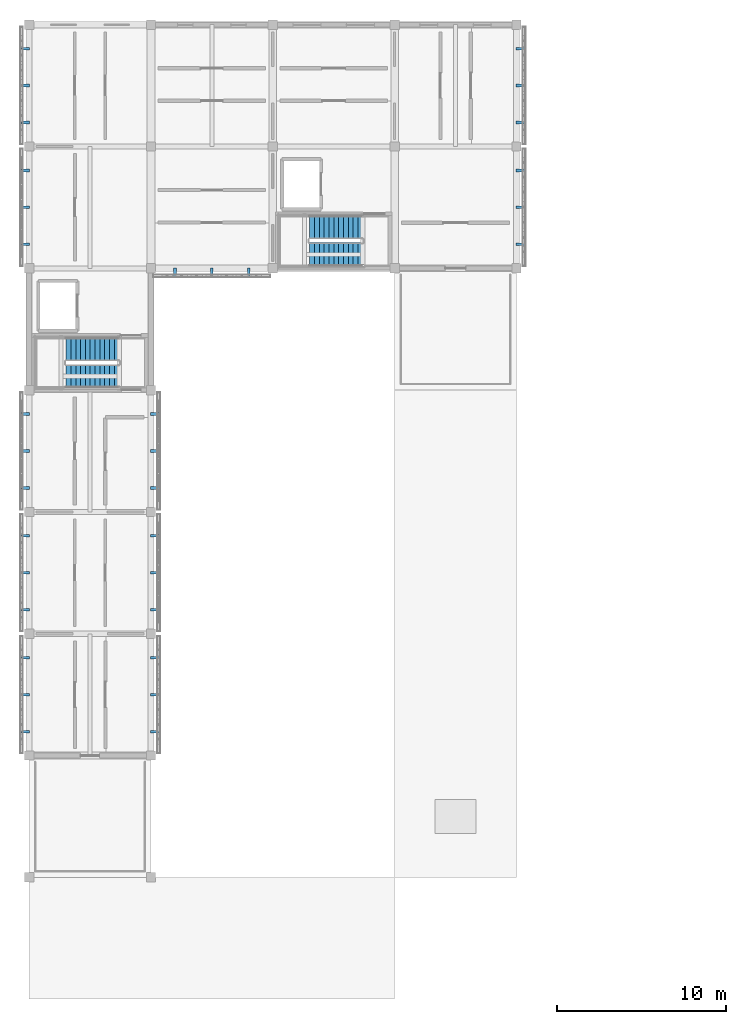
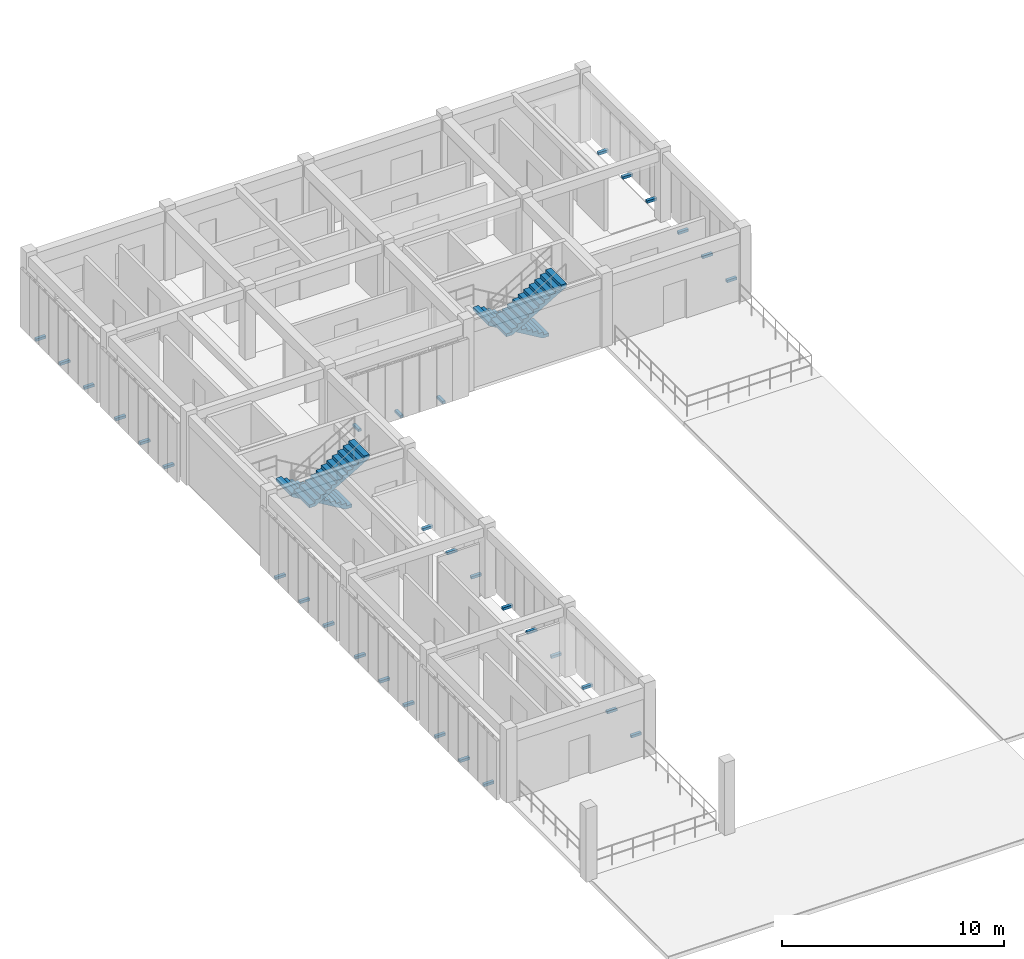
# One storey, part 29 of 33: 33 discrete accessories, 4 stair flights, 2 elements without a shape of their own.
"""IFC4 building model written with IfcOpenShell, lengths in metres."""

from ifc_helpers import new_model, si_unit, direction, frame, origin, origin_2d, place, context, subcontext, project, spatial, polyline, rectangle, outline, extrude, material, type_object, element, aggregate, save


model = new_model("IFC4")

# Units and contexts
model_context = context("Model", 3, precision=1e-05, world=origin(), true_north=direction((0.0, 1.0)))
body_context = subcontext(model_context, "Body", "Model", "MODEL_VIEW")
ifc_project = project(units=[si_unit("LENGTHUNIT", "METRE"), si_unit("AREAUNIT", "SQUARE_METRE"), si_unit("VOLUMEUNIT", "CUBIC_METRE"), si_unit("PLANEANGLEUNIT", "RADIAN"), si_unit("MASSUNIT", "GRAM", prefix="KILO")], contexts=[model_context])

# Site, building, storey
site_placement = place(None, origin())
site = spatial("IfcSite", under=ifc_project, at=site_placement, CompositionType="ELEMENT")
building_placement = place(site_placement, origin())
building = spatial("IfcBuilding", under=site, at=building_placement, Name="Aldebral Square Health Centre", CompositionType="ELEMENT")
storey_placement = place(building_placement, frame((0.0, 0.0, 17.550048828125)))
storey = spatial("IfcBuildingStorey", under=building, at=storey_placement, Name="L04", CompositionType="ELEMENT", Elevation=17.550048828125)

# Stair, stair flights
ifc_material_1 = material(Name="Concrete C35/45", Category="concrete")
stair_type = type_object("IfcStairType", Name="ST-DOG-140", PredefinedType="HALF_TURN_STAIR", material=ifc_material_1)
stair_1_placement = place(storey_placement, origin())
stair_1 = element("IfcStair", 1, at=stair_1_placement, inside=storey, type_object=stair_type, Name="L04 ST-01", PredefinedType="HALF_TURN_STAIR")
stair_flight_type = type_object("IfcStairFlightType", Name="STF-DOG-140", PredefinedType="STRAIGHT", material=ifc_material_1)
stair_flight_1_placement = place(storey_placement, frame((5.320068359375, 96.02001953125, 0.0), z_axis=(0.0, 0.0, 1.0), x_axis=(-1.0, 0.0, 0.0)))
stair_flight_1 = element("IfcStairFlight", 2, at=stair_flight_1_placement, type_object=stair_flight_type, Name="ST-01 flight 1", NumberOfRisers=12, NumberOfTreads=11, PredefinedType="STRAIGHT", RiserHeight=0.16875, TreadLength=0.285, context=body_context, shape_type="SweptSolid", body=[
    extrude(outline(polyline([(0.0, 0.0), (0.0, 0.168701171875), (0.284912109375, 0.168701171875), (0.284912109375, 0.33740234375), (0.570068359375, 0.33740234375), (0.570068359375, 0.50634765625), (0.85498046875, 0.50634765625), (0.85498046875, 0.675048828125), (1.139892578125, 0.675048828125), (1.139892578125, 0.84375), (1.425048828125, 0.84375), (1.425048828125, 1.012451171875), (1.7099609375, 1.012451171875), (1.7099609375, 1.18115234375), (1.9951171875, 1.18115234375), (1.9951171875, 1.35009765625), (2.280029296875, 1.35009765625), (2.280029296875, 1.518798828125), (2.56494140625, 1.518798828125), (2.56494140625, 1.6875), (2.85009765625, 1.6875), (2.85009765625, 1.856201171875), (3.135009765625, 1.856201171875), (3.135009765625, 2.02490234375), (3.135009765625, 1.67041015625), (0.31396484375, 0.0), (0.0, 0.0)])), frame((0.0, 0.699951171875, 0.0), z_axis=(0.0, -1.0, 0.0), x_axis=(1.0, 0.0, 0.0)), (0.0, 0.0, 1.0), 1.39990234375),
])
stair_flight_2_placement = place(storey_placement, frame((2.18505859375, 94.419921875, 2.02490234375), z_axis=(0.0, 0.0, 1.0), x_axis=(1.0, 0.0, 0.0)))
stair_flight_2 = element("IfcStairFlight", 3, at=stair_flight_2_placement, type_object=stair_flight_type, Name="ST-01 flight 2", NumberOfRisers=12, NumberOfTreads=11, PredefinedType="STRAIGHT", RiserHeight=0.16875, TreadLength=0.285, context=body_context, shape_type="SweptSolid", body=[
    extrude(outline(polyline([(0.0, 0.0), (0.0, 0.168701171875), (0.284912109375, 0.168701171875), (0.284912109375, 0.33740234375), (0.570068359375, 0.33740234375), (0.570068359375, 0.50634765625), (0.85498046875, 0.50634765625), (0.85498046875, 0.675048828125), (1.139892578125, 0.675048828125), (1.139892578125, 0.84375), (1.425048828125, 0.84375), (1.425048828125, 1.012451171875), (1.7099609375, 1.012451171875), (1.7099609375, 1.18115234375), (1.9951171875, 1.18115234375), (1.9951171875, 1.35009765625), (2.280029296875, 1.35009765625), (2.280029296875, 1.518798828125), (2.56494140625, 1.518798828125), (2.56494140625, 1.6875), (2.85009765625, 1.6875), (2.85009765625, 1.856201171875), (3.135009765625, 1.856201171875), (3.135009765625, 2.02490234375), (3.135009765625, 1.67041015625), (0.31396484375, 0.0), (0.0, 0.0)])), frame((0.0, 0.699951171875, 0.0), z_axis=(0.0, -1.0, 0.0), x_axis=(1.0, 0.0, 0.0)), (0.0, 0.0, 1.0), 1.39990234375),
])
aggregate(stair_1, [stair_flight_1, stair_flight_2])

stair_2_placement = place(storey_placement, origin())
stair_2 = element("IfcStair", 4, at=stair_2_placement, inside=storey, type_object=stair_type, Name="L04 ST-02", PredefinedType="HALF_TURN_STAIR")
stair_flight_3_placement = place(storey_placement, frame((19.719970703125, 103.219970703125, 0.0), z_axis=(0.0, 0.0, 1.0), x_axis=(-1.0, 0.0, 0.0)))
stair_flight_3 = element("IfcStairFlight", 5, at=stair_flight_3_placement, type_object=stair_flight_type, Name="ST-02 flight 1", NumberOfRisers=12, NumberOfTreads=11, PredefinedType="STRAIGHT", RiserHeight=0.16875, TreadLength=0.285, context=body_context, shape_type="SweptSolid", body=[
    extrude(outline(polyline([(0.0, 0.0), (0.0, 0.168701171875), (0.284912109375, 0.168701171875), (0.284912109375, 0.33740234375), (0.570068359375, 0.33740234375), (0.570068359375, 0.50634765625), (0.85498046875, 0.50634765625), (0.85498046875, 0.675048828125), (1.139892578125, 0.675048828125), (1.139892578125, 0.84375), (1.425048828125, 0.84375), (1.425048828125, 1.012451171875), (1.7099609375, 1.012451171875), (1.7099609375, 1.18115234375), (1.9951171875, 1.18115234375), (1.9951171875, 1.35009765625), (2.280029296875, 1.35009765625), (2.280029296875, 1.518798828125), (2.56494140625, 1.518798828125), (2.56494140625, 1.6875), (2.85009765625, 1.6875), (2.85009765625, 1.856201171875), (3.135009765625, 1.856201171875), (3.135009765625, 2.02490234375), (3.135009765625, 1.67041015625), (0.31396484375, 0.0), (0.0, 0.0)])), frame((0.0, 0.699951171875, 0.0), z_axis=(0.0, -1.0, 0.0), x_axis=(1.0, 0.0, 0.0)), (0.0, 0.0, 1.0), 1.39990234375),
])
stair_flight_4_placement = place(storey_placement, frame((16.5849609375, 101.6201171875, 2.02490234375), z_axis=(0.0, 0.0, 1.0), x_axis=(1.0, 0.0, 0.0)))
stair_flight_4 = element("IfcStairFlight", 6, at=stair_flight_4_placement, type_object=stair_flight_type, Name="ST-02 flight 2", NumberOfRisers=12, NumberOfTreads=11, PredefinedType="STRAIGHT", RiserHeight=0.16875, TreadLength=0.285, context=body_context, shape_type="SweptSolid", body=[
    extrude(outline(polyline([(0.0, 0.0), (0.0, 0.168701171875), (0.284912109375, 0.168701171875), (0.284912109375, 0.33740234375), (0.570068359375, 0.33740234375), (0.570068359375, 0.50634765625), (0.85498046875, 0.50634765625), (0.85498046875, 0.675048828125), (1.139892578125, 0.675048828125), (1.139892578125, 0.84375), (1.425048828125, 0.84375), (1.425048828125, 1.012451171875), (1.7099609375, 1.012451171875), (1.7099609375, 1.18115234375), (1.9951171875, 1.18115234375), (1.9951171875, 1.35009765625), (2.280029296875, 1.35009765625), (2.280029296875, 1.518798828125), (2.56494140625, 1.518798828125), (2.56494140625, 1.6875), (2.85009765625, 1.6875), (2.85009765625, 1.856201171875), (3.135009765625, 1.856201171875), (3.135009765625, 2.02490234375), (3.135009765625, 1.67041015625), (0.31396484375, 0.0), (0.0, 0.0)])), frame((0.0, 0.699951171875, 0.0), z_axis=(0.0, -1.0, 0.0), x_axis=(1.0, 0.0, 0.0)), (0.0, 0.0, 1.0), 1.39990234375),
])
aggregate(stair_2, [stair_flight_3, stair_flight_4])

# Discrete accessories
ifc_material_2 = material(Name="Steel S355JR", Category="steel")
discrete_accessory_type = type_object("IfcDiscreteAccessoryType", Name="ACC-BRK-1", PredefinedType="BRACKET", material=ifc_material_2)
for number, where, z_axis, x_axis, name in (
    (7, (-0.22998046875, 77.783935546875, -0.009765625), (0.0, 0.0, 1.0), (0.0, 1.0, 0.0), "L04 finned curtain-wall bracket L04-V4-00-10-W.1"),
    (8, (-0.22998046875, 75.60009765625, -0.009765625), (0.0, 0.0, 1.0), (0.0, 1.0, 0.0), "L04 finned curtain-wall bracket L04-V4-00-10-W.2"),
    (9, (-0.22998046875, 73.416015625, -0.009765625), (0.0, 0.0, 1.0), (0.0, 1.0, 0.0), "L04 finned curtain-wall bracket L04-V4-00-10-W.3"),
    (10, (7.429931640625, 73.416015625, -0.009765625), (0.0, 0.0, 1.0), (0.0, 1.0, 0.0), "L04 finned curtain-wall bracket L04-V4-00-10-E.1"),
    (11, (7.429931640625, 75.60009765625, -0.009765625), (0.0, 0.0, 1.0), (0.0, 1.0, 0.0), "L04 finned curtain-wall bracket L04-V4-00-10-E.2"),
    (12, (7.429931640625, 77.783935546875, -0.009765625), (0.0, 0.0, 1.0), (0.0, 1.0, 0.0), "L04 finned curtain-wall bracket L04-V4-00-10-E.3"),
    (13, (-0.22998046875, 84.98388671875, -0.009765625), (0.0, 0.0, 1.0), (0.0, 1.0, 0.0), "L04 finned curtain-wall bracket L04-V4-00-11-W.1"),
    (14, (-0.22998046875, 82.800048828125, -0.009765625), (0.0, 0.0, 1.0), (0.0, 1.0, 0.0), "L04 finned curtain-wall bracket L04-V4-00-11-W.2"),
    (15, (-0.22998046875, 80.615966796875, -0.009765625), (0.0, 0.0, 1.0), (0.0, 1.0, 0.0), "L04 finned curtain-wall bracket L04-V4-00-11-W.3"),
    (16, (7.429931640625, 80.615966796875, -0.009765625), (0.0, 0.0, 1.0), (0.0, 1.0, 0.0), "L04 finned curtain-wall bracket L04-V4-00-11-E.1"),
    (17, (7.429931640625, 82.800048828125, -0.009765625), (0.0, 0.0, 1.0), (0.0, 1.0, 0.0), "L04 finned curtain-wall bracket L04-V4-00-11-E.2"),
    (18, (7.429931640625, 84.98388671875, -0.009765625), (0.0, 0.0, 1.0), (0.0, 1.0, 0.0), "L04 finned curtain-wall bracket L04-V4-00-11-E.3"),
    (19, (-0.22998046875, 92.18408203125, -0.009765625), (0.0, 0.0, 1.0), (0.0, 1.0, 0.0), "L04 finned curtain-wall bracket L04-V4-00-12-W.1"),
    (20, (-0.22998046875, 90.0, -0.009765625), (0.0, 0.0, 1.0), (0.0, 1.0, 0.0), "L04 finned curtain-wall bracket L04-V4-00-12-W.2"),
    (21, (-0.22998046875, 87.81591796875, -0.009765625), (0.0, 0.0, 1.0), (0.0, 1.0, 0.0), "L04 finned curtain-wall bracket L04-V4-00-12-W.3"),
    (22, (7.429931640625, 87.81591796875, -0.009765625), (0.0, 0.0, 1.0), (0.0, 1.0, 0.0), "L04 finned curtain-wall bracket L04-V4-00-12-E.1"),
    (23, (7.429931640625, 90.0, -0.009765625), (0.0, 0.0, 1.0), (0.0, 1.0, 0.0), "L04 finned curtain-wall bracket L04-V4-00-12-E.2"),
    (24, (7.429931640625, 92.18408203125, -0.009765625), (0.0, 0.0, 1.0), (0.0, 1.0, 0.0), "L04 finned curtain-wall bracket L04-V4-00-12-E.3"),
    (25, (-0.22998046875, 106.583984375, -0.009765625), (0.0, 0.0, 1.0), (0.0, 1.0, 0.0), "L04 finned curtain-wall bracket L04-V4-00-14-W.1"),
    (26, (-0.22998046875, 104.39990234375, -0.009765625), (0.0, 0.0, 1.0), (0.0, 1.0, 0.0), "L04 finned curtain-wall bracket L04-V4-00-14-W.2"),
    (27, (-0.22998046875, 102.216064453125, -0.009765625), (0.0, 0.0, 1.0), (0.0, 1.0, 0.0), "L04 finned curtain-wall bracket L04-V4-00-14-W.3"),
    (28, (-0.22998046875, 113.783935546875, -0.009765625), (0.0, 0.0, 1.0), (0.0, 1.0, 0.0), "L04 finned curtain-wall bracket L04-V4-00-15-W.1"),
    (29, (-0.22998046875, 111.60009765625, -0.009765625), (0.0, 0.0, 1.0), (0.0, 1.0, 0.0), "L04 finned curtain-wall bracket L04-V4-00-15-W.2"),
    (30, (-0.22998046875, 109.416015625, -0.009765625), (0.0, 0.0, 1.0), (0.0, 1.0, 0.0), "L04 finned curtain-wall bracket L04-V4-00-15-W.3"),
    (31, (8.615966796875, 100.570068359375, -0.009765625), (0.0, 0.0, 1.0), (1.0, 0.0, 0.0), "L04 finned curtain-wall bracket L04-V4-01-14-S.1"),
    (32, (10.800048828125, 100.570068359375, -0.009765625), (0.0, 0.0, 1.0), (1.0, 0.0, 0.0), "L04 finned curtain-wall bracket L04-V4-01-14-S.2"),
    (33, (12.98388671875, 100.570068359375, -0.009765625), (0.0, 0.0, 1.0), (1.0, 0.0, 0.0), "L04 finned curtain-wall bracket L04-V4-01-14-S.3"),
    (34, (29.030029296875, 102.216064453125, -0.009765625), (0.0, 0.0, 1.0), (0.0, 1.0, 0.0), "L04 finned curtain-wall bracket L04-V4-03-14-E.1"),
    (35, (29.030029296875, 104.39990234375, -0.009765625), (0.0, 0.0, 1.0), (0.0, 1.0, 0.0), "L04 finned curtain-wall bracket L04-V4-03-14-E.2"),
    (36, (29.030029296875, 106.583984375, -0.009765625), (0.0, 0.0, 1.0), (0.0, 1.0, 0.0), "L04 finned curtain-wall bracket L04-V4-03-14-E.3"),
    (37, (29.030029296875, 109.416015625, -0.009765625), (0.0, 0.0, 1.0), (0.0, 1.0, 0.0), "L04 finned curtain-wall bracket L04-V4-03-15-E.1"),
    (38, (29.030029296875, 111.60009765625, -0.009765625), (0.0, 0.0, 1.0), (0.0, 1.0, 0.0), "L04 finned curtain-wall bracket L04-V4-03-15-E.2"),
    (39, (29.030029296875, 113.783935546875, -0.009765625), (0.0, 0.0, 1.0), (0.0, 1.0, 0.0), "L04 finned curtain-wall bracket L04-V4-03-15-E.3"),
):
    element("IfcDiscreteAccessory", number, at=place(storey_placement, frame(where, z_axis=z_axis, x_axis=x_axis)), inside=storey, type_object=discrete_accessory_type, Name=name, PredefinedType="BRACKET", context=body_context, shape_type="SweptSolid", body=[
        extrude(rectangle(XDim=0.159912109375, YDim=0.52001953125, at=origin_2d()), origin(), (0.0, 0.0, 1.0), 0.139892578125),
    ])

save(model, "model.ifc")
